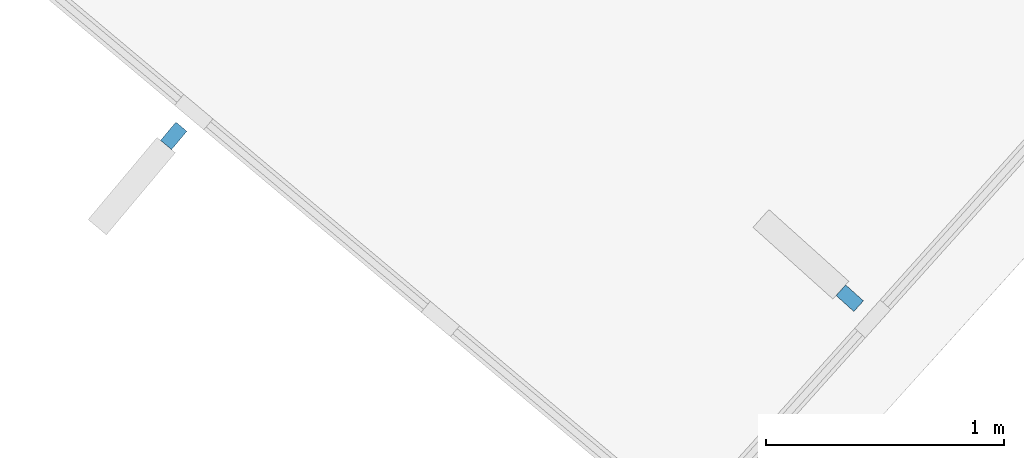
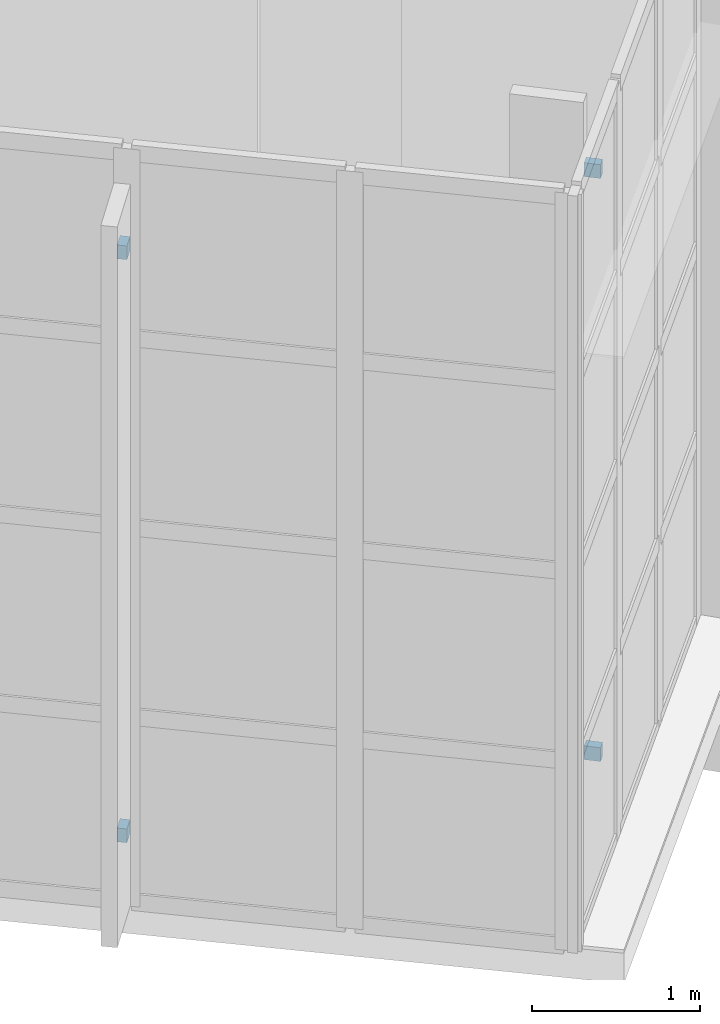
# One storey, part 49 of 87: 4 discrete accessories.
"""IFC4 building model written with IfcOpenShell, lengths in metres."""

from ifc_helpers import new_model, si_unit, direction, frame, origin, origin_2d, place, context, subcontext, project, spatial, rectangle, extrude, material, type_object, element, save


model = new_model("IFC4")

# Units and contexts
model_context = context("Model", 3, precision=1e-05, world=origin(), true_north=direction((0.0, 1.0)))
body_context = subcontext(model_context, "Body", "Model", "MODEL_VIEW")
ifc_project = project(units=[si_unit("LENGTHUNIT", "METRE"), si_unit("AREAUNIT", "SQUARE_METRE"), si_unit("VOLUMEUNIT", "CUBIC_METRE"), si_unit("PLANEANGLEUNIT", "RADIAN"), si_unit("MASSUNIT", "GRAM", prefix="KILO")], contexts=[model_context])

# Site, building, storey
site_placement = place(None, origin())
site = spatial("IfcSite", under=ifc_project, at=site_placement, CompositionType="ELEMENT")
building_placement = place(site_placement, origin())
building = spatial("IfcBuilding", under=site, at=building_placement, Name="Lunette Opera House", CompositionType="ELEMENT")
storey_placement = place(building_placement, frame((0.0, 0.0, 11.5)))
storey = spatial("IfcBuildingStorey", under=building, at=storey_placement, Name="L02", CompositionType="ELEMENT", Elevation=11.5)

# Discrete accessories
ifc_material = material(Name="Galvanised steel", Category="steel")
discrete_accessory_type = type_object("IfcDiscreteAccessoryType", Name="FIN BRACKET STEEL", PredefinedType="BRACKET", material=ifc_material)
for number, where, z_axis, x_axis, name in (
    (1, (56.618896484375, 34.572998046875, 0.56494140625), (0.0, 0.0, 1.0), (-0.74421712619, 0.667937773363, 0.0), "Fin bracket FC-X2165 2 1"),
    (2, (56.618896484375, 34.572998046875, 4.800048828125), (0.0, 0.0, 1.0), (-0.74421712619, 0.667937773363, 0.0), "Fin bracket FC-X2165 2 2"),
    (3, (53.783935546875, 35.25390625, 0.56494140625), (0.0, 0.0, 1.0), (-0.642839751189, -0.76600068818, 0.0), "Fin bracket FC-X2166 2 1"),
    (4, (53.783935546875, 35.25390625, 4.800048828125), (0.0, 0.0, 1.0), (-0.642839751189, -0.76600068818, 0.0), "Fin bracket FC-X2166 2 2"),
):
    element("IfcDiscreteAccessory", number, at=place(storey_placement, frame(where, z_axis=z_axis, x_axis=x_axis)), inside=storey, type_object=discrete_accessory_type, Name=name, PredefinedType="BRACKET", context=body_context, shape_type="SweptSolid", body=[
        extrude(rectangle(XDim=0.10009765625, YDim=0.06005859375, at=origin_2d()), origin(), (0.0, 0.0, 1.0), 0.10009765625),
    ])

save(model, "model.ifc")
